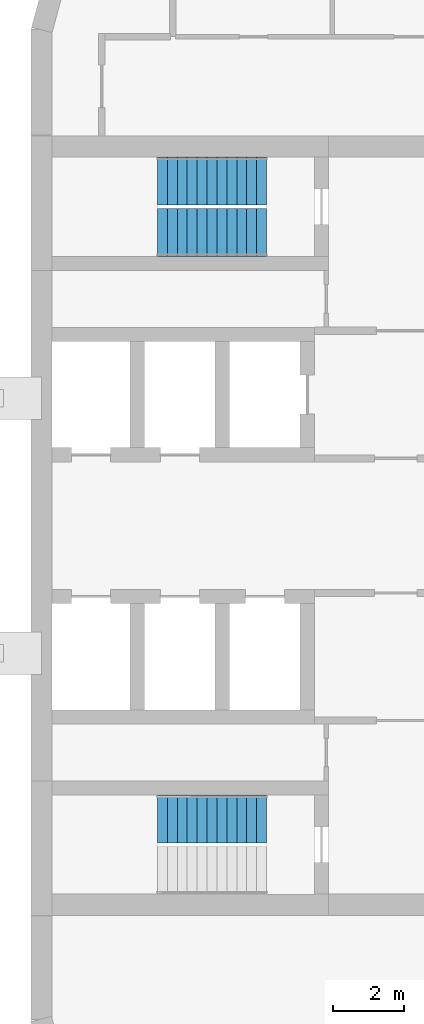
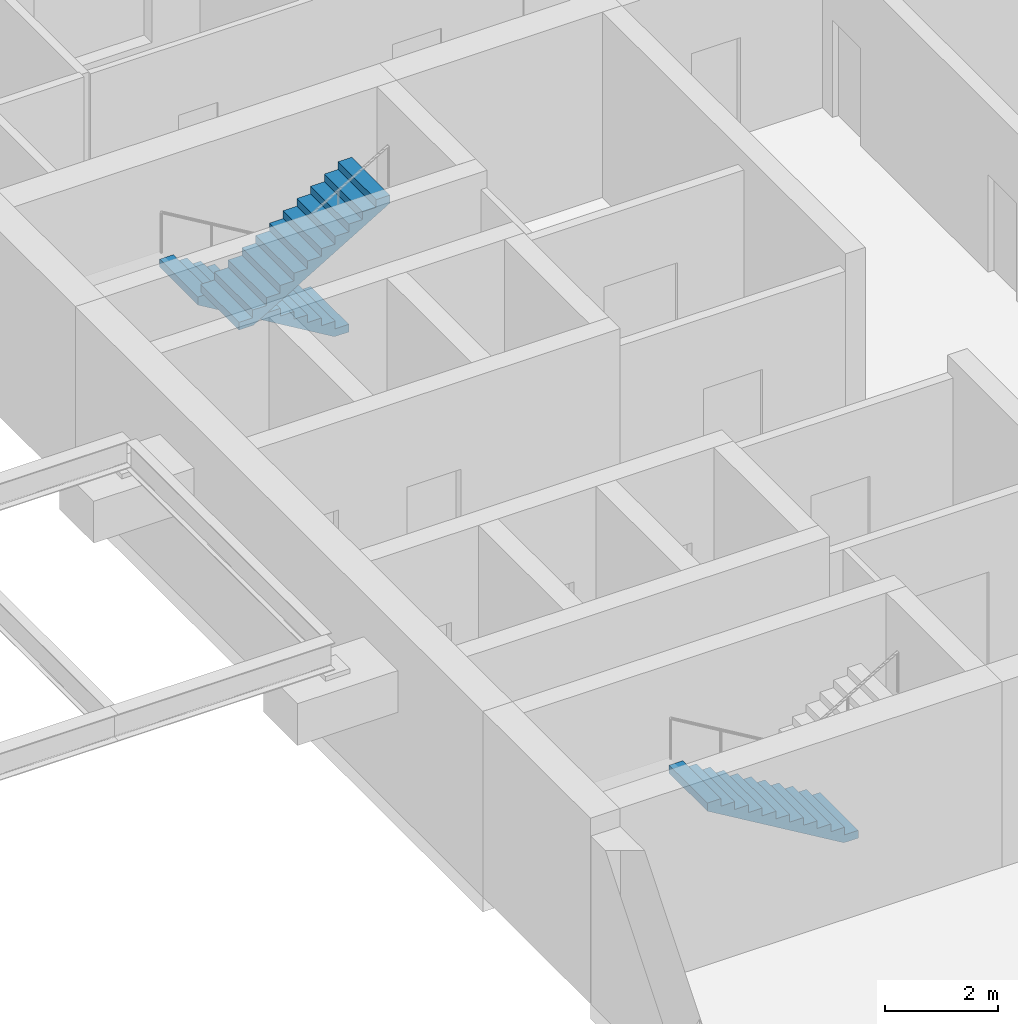
# One storey, part 10 of 14: 3 stair flights, 2 elements without a shape of their own.
"""IFC4 building model written with IfcOpenShell, lengths in metres."""

from ifc_helpers import new_model, si_unit, direction, frame, origin, place, context, subcontext, project, spatial, polyline, outline, extrude, material, type_object, element, aggregate, save


model = new_model("IFC4")

# Units and contexts
model_context = context("Model", 3, precision=1e-05, world=origin(), true_north=direction((0.0, 1.0)))
body_context = subcontext(model_context, "Body", "Model", "MODEL_VIEW")
ifc_project = project(units=[si_unit("LENGTHUNIT", "METRE"), si_unit("AREAUNIT", "SQUARE_METRE"), si_unit("VOLUMEUNIT", "CUBIC_METRE"), si_unit("PLANEANGLEUNIT", "RADIAN"), si_unit("MASSUNIT", "GRAM", prefix="KILO")], contexts=[model_context])

# Site, building, storey
site_placement = place(None, origin())
site = spatial("IfcSite", under=ifc_project, at=site_placement, CompositionType="ELEMENT")
building_placement = place(site_placement, origin())
building = spatial("IfcBuilding", under=site, at=building_placement, Name="Skarvind Civic Tower", CompositionType="ELEMENT")
storey_placement = place(building_placement, frame((0.0, 0.0, 105.0)))
storey = spatial("IfcBuildingStorey", under=building, at=storey_placement, Name="L24", CompositionType="ELEMENT", Elevation=105.0)

# Stair, stair flight
ifc_material = material(Name="Concrete C40/50", Category="concrete")
stair_type = type_object("IfcStairType", Name="Exit stair, half-turn, concrete", PredefinedType="HALF_TURN_STAIR", material=ifc_material)
stair_1_placement = place(storey_placement, origin())
stair_1 = element("IfcStair", 1, at=stair_1_placement, inside=storey, type_object=stair_type, Name="Exit stair CAS", PredefinedType="HALF_TURN_STAIR")
stair_flight_type = type_object("IfcStairFlightType", Name="Stair flight, concrete", PredefinedType="STRAIGHT", material=ifc_material)
stair_flight_1_placement = place(storey_placement, frame((133.64990234375, 119.72509765625, 0.0), z_axis=(0.0, 0.0, 1.0), x_axis=(-1.0, 0.0, 0.0)))
stair_flight_1 = element("IfcStairFlight", 2, at=stair_flight_1_placement, type_object=stair_flight_type, Name="ST-CAS flight 1", NumberOfRisers=12, NumberOfTreads=11, PredefinedType="STRAIGHT", RiserHeight=0.166666667, TreadLength=0.28, context=body_context, shape_type="SweptSolid", body=[
    extrude(outline(polyline([(0.0, 0.0), (0.0, 0.166748046875), (0.280029296875, 0.166748046875), (0.280029296875, 0.333251953125), (0.56005859375, 0.333251953125), (0.56005859375, 0.5), (0.840087890625, 0.5), (0.840087890625, 0.666748046875), (1.1201171875, 0.666748046875), (1.1201171875, 0.833251953125), (1.39990234375, 0.833251953125), (1.39990234375, 1.0), (1.679931640625, 1.0), (1.679931640625, 1.166748046875), (1.9599609375, 1.166748046875), (1.9599609375, 1.333251953125), (2.239990234375, 1.333251953125), (2.239990234375, 1.5), (2.52001953125, 1.5), (2.52001953125, 1.666748046875), (2.800048828125, 1.666748046875), (2.800048828125, 1.833251953125), (3.080078125, 1.833251953125), (3.080078125, 2.0), (3.080078125, 1.658935546875), (0.29296875, 0.0), (0.0, 0.0)])), frame((0.0, 0.675048828125, 0.0), z_axis=(0.0, -1.0, 0.0), x_axis=(1.0, 0.0, 0.0)), (0.0, 0.0, 1.0), 1.35009765625),
])
aggregate(stair_1, [stair_flight_1])

# Stair, stair flights
stair_2_placement = place(storey_placement, origin())
stair_2 = element("IfcStair", 3, at=stair_2_placement, inside=storey, type_object=stair_type, Name="Exit stair CAN", PredefinedType="HALF_TURN_STAIR")
stair_flight_2_placement = place(storey_placement, frame((133.64990234375, 137.72509765625, 0.0), z_axis=(0.0, 0.0, 1.0), x_axis=(-1.0, 0.0, 0.0)))
stair_flight_2 = element("IfcStairFlight", 4, at=stair_flight_2_placement, type_object=stair_flight_type, Name="ST-CAN flight 1", NumberOfRisers=12, NumberOfTreads=11, PredefinedType="STRAIGHT", RiserHeight=0.166666667, TreadLength=0.28, context=body_context, shape_type="SweptSolid", body=[
    extrude(outline(polyline([(0.0, 0.0), (0.0, 0.166748046875), (0.280029296875, 0.166748046875), (0.280029296875, 0.333251953125), (0.56005859375, 0.333251953125), (0.56005859375, 0.5), (0.840087890625, 0.5), (0.840087890625, 0.666748046875), (1.1201171875, 0.666748046875), (1.1201171875, 0.833251953125), (1.39990234375, 0.833251953125), (1.39990234375, 1.0), (1.679931640625, 1.0), (1.679931640625, 1.166748046875), (1.9599609375, 1.166748046875), (1.9599609375, 1.333251953125), (2.239990234375, 1.333251953125), (2.239990234375, 1.5), (2.52001953125, 1.5), (2.52001953125, 1.666748046875), (2.800048828125, 1.666748046875), (2.800048828125, 1.833251953125), (3.080078125, 1.833251953125), (3.080078125, 2.0), (3.080078125, 1.658935546875), (0.29296875, 0.0), (0.0, 0.0)])), frame((0.0, 0.675048828125, 0.0), z_axis=(0.0, -1.0, 0.0), x_axis=(1.0, 0.0, 0.0)), (0.0, 0.0, 1.0), 1.35009765625),
])
stair_flight_3_placement = place(storey_placement, frame((130.570068359375, 136.27490234375, 2.0), z_axis=(0.0, 0.0, 1.0), x_axis=(1.0, 0.0, 0.0)))
stair_flight_3 = element("IfcStairFlight", 5, at=stair_flight_3_placement, type_object=stair_flight_type, Name="ST-CAN flight 2", NumberOfRisers=12, NumberOfTreads=11, PredefinedType="STRAIGHT", RiserHeight=0.166666667, TreadLength=0.28, context=body_context, shape_type="SweptSolid", body=[
    extrude(outline(polyline([(0.0, 0.0), (0.0, 0.166748046875), (0.280029296875, 0.166748046875), (0.280029296875, 0.333251953125), (0.56005859375, 0.333251953125), (0.56005859375, 0.5), (0.840087890625, 0.5), (0.840087890625, 0.666748046875), (1.1201171875, 0.666748046875), (1.1201171875, 0.833251953125), (1.39990234375, 0.833251953125), (1.39990234375, 1.0), (1.679931640625, 1.0), (1.679931640625, 1.166748046875), (1.9599609375, 1.166748046875), (1.9599609375, 1.333251953125), (2.239990234375, 1.333251953125), (2.239990234375, 1.5), (2.52001953125, 1.5), (2.52001953125, 1.666748046875), (2.800048828125, 1.666748046875), (2.800048828125, 1.833251953125), (3.080078125, 1.833251953125), (3.080078125, 2.0), (3.080078125, 1.658935546875), (0.29296875, 0.0), (0.0, 0.0)])), frame((0.0, 0.675048828125, 0.0), z_axis=(0.0, -1.0, 0.0), x_axis=(1.0, 0.0, 0.0)), (0.0, 0.0, 1.0), 1.35009765625),
])
aggregate(stair_2, [stair_flight_2, stair_flight_3])

save(model, "model.ifc")
